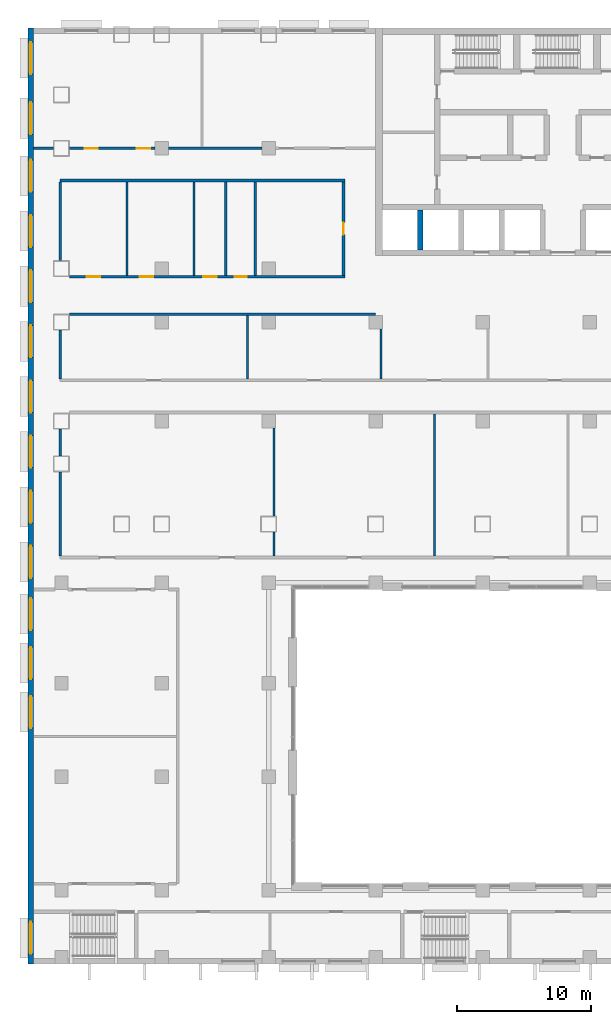
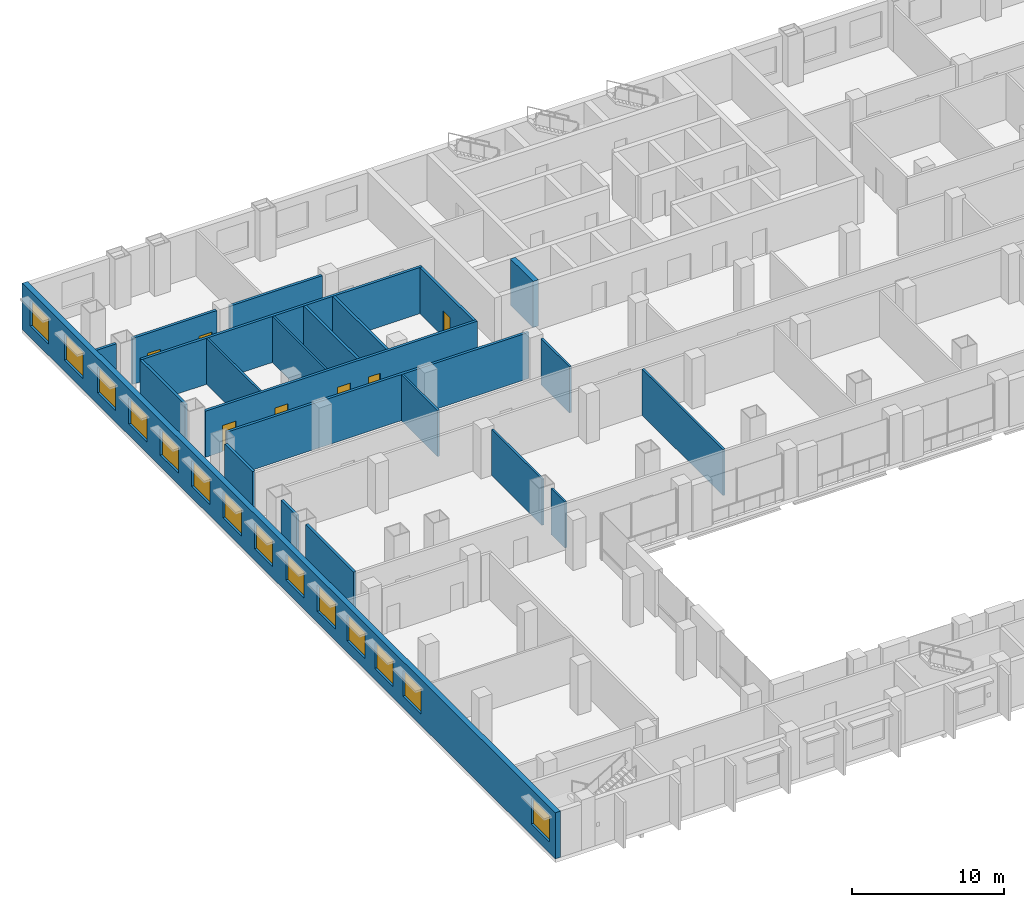
# One storey, part 11 of 25: 22 walls, 14 windows, 7 doors, 21 openings.
"""IFC4 building model written with IfcOpenShell, lengths in metres."""

from ifc_helpers import new_model, si_unit, direction, frame, frame_2d, origin, place, context, subcontext, project, spatial, rectangle, extrude, material, layer, layer_set, type_object, element, fill, save


model = new_model("IFC4")

# Units and contexts
model_context = context("Model", 3, precision=1e-05, world=origin(), true_north=direction((0.0, 1.0)))
body_context = subcontext(model_context, "Body", "Model", "MODEL_VIEW")
ifc_project = project(units=[si_unit("LENGTHUNIT", "METRE"), si_unit("AREAUNIT", "SQUARE_METRE"), si_unit("VOLUMEUNIT", "CUBIC_METRE"), si_unit("PLANEANGLEUNIT", "RADIAN"), si_unit("MASSUNIT", "GRAM", prefix="KILO")], contexts=[model_context])

# Site, building, storey
site_placement = place(None, origin())
site = spatial("IfcSite", under=ifc_project, at=site_placement, CompositionType="ELEMENT")
building_placement = place(site_placement, origin())
building = spatial("IfcBuilding", under=site, at=building_placement, Name="Vidyagriha Tower", CompositionType="ELEMENT")
storey_placement = place(building_placement, frame((0.0, 0.0, 10.0)))
storey = spatial("IfcBuildingStorey", under=building, at=storey_placement, Name="L02", CompositionType="ELEMENT", Elevation=10.0)

# Wall, openings, windows
ifc_material_1 = material(Name="Concrete C40/50 board-marked with brick facing", Category="concrete")
ifc_layer_1 = layer(ifc_material_1, 0.39990234375)
ifc_layer_set_1 = layer_set([ifc_layer_1], Name="Concrete C40/50 board-marked with brick facing")
wall_type_1 = type_object("IfcWallType", Name="Brick-faced board-marked concrete podium wall 400", PredefinedType="STANDARD", material=ifc_layer_set_1)
wall_1_placement = place(storey_placement, frame((-39.800048828125, 20.0, 0.0), z_axis=(0.0, 0.0, 1.0), x_axis=(0.0, -1.0, 0.0)))
wall_1 = element("IfcWall", 1, at=wall_1_placement, inside=storey, type_object=wall_type_1, Name="Podium wall L02 R05", PredefinedType="STANDARD", context=body_context, shape_type="SweptSolid", body=[
    extrude(rectangle(XDim=70.0, YDim=0.39990234375, at=frame_2d((35.0, 0.0))), origin(), (0.0, 0.0, 1.0), 3.699951171875),
])
opening_1_placement = place(wall_1_placement, frame((1.050048828125, 0.0, 0.89990234375)))
opening_1 = element("IfcOpeningElement", 2, at=opening_1_placement, cuts=wall_1, Name="Opening WN3", PredefinedType="OPENING", context=body_context, shape_type="SweptSolid", body=[
    extrude(rectangle(XDim=2.39990234375, YDim=2.10009765625, at=frame_2d((1.199951171875, 1.050048828125))), frame((0.0, 0.2099609375, 0.0), z_axis=(0.0, -1.0, 0.0), x_axis=(1.0, 0.0, 0.0)), (0.0, 0.0, 1.0), 0.419921875),
])
opening_2_placement = place(wall_1_placement, frame((5.550048828125, 0.0, 0.89990234375)))
opening_2 = element("IfcOpeningElement", 3, at=opening_2_placement, cuts=wall_1, Name="Opening WN3", PredefinedType="OPENING", context=body_context, shape_type="SweptSolid", body=[
    extrude(rectangle(XDim=2.39990234375, YDim=2.10009765625, at=frame_2d((1.199951171875, 1.050048828125))), frame((0.0, 0.2099609375, 0.0), z_axis=(0.0, -1.0, 0.0), x_axis=(1.0, 0.0, 0.0)), (0.0, 0.0, 1.0), 0.419921875),
])
opening_3_placement = place(wall_1_placement, frame((9.862548828125, 0.0, 0.89990234375)))
opening_3 = element("IfcOpeningElement", 4, at=opening_3_placement, cuts=wall_1, Name="Opening WN3", PredefinedType="OPENING", context=body_context, shape_type="SweptSolid", body=[
    extrude(rectangle(XDim=2.39990234375, YDim=2.10009765625, at=frame_2d((1.199951171875, 1.050048828125))), frame((0.0, 0.2099609375, 0.0), z_axis=(0.0, -1.0, 0.0), x_axis=(1.0, 0.0, 0.0)), (0.0, 0.0, 1.0), 0.419921875),
])
opening_4_placement = place(wall_1_placement, frame((13.987548828125, 0.0, 0.89990234375)))
opening_4 = element("IfcOpeningElement", 5, at=opening_4_placement, cuts=wall_1, Name="Opening WN3", PredefinedType="OPENING", context=body_context, shape_type="SweptSolid", body=[
    extrude(rectangle(XDim=2.39990234375, YDim=2.10009765625, at=frame_2d((1.199951171875, 1.050048828125))), frame((0.0, 0.2099609375, 0.0), z_axis=(0.0, -1.0, 0.0), x_axis=(1.0, 0.0, 0.0)), (0.0, 0.0, 1.0), 0.419921875),
])
opening_5_placement = place(wall_1_placement, frame((18.112548828125, 0.0, 0.89990234375)))
opening_5 = element("IfcOpeningElement", 6, at=opening_5_placement, cuts=wall_1, Name="Opening WN3", PredefinedType="OPENING", context=body_context, shape_type="SweptSolid", body=[
    extrude(rectangle(XDim=2.39990234375, YDim=2.10009765625, at=frame_2d((1.199951171875, 1.050048828125))), frame((0.0, 0.2099609375, 0.0), z_axis=(0.0, -1.0, 0.0), x_axis=(1.0, 0.0, 0.0)), (0.0, 0.0, 1.0), 0.419921875),
])
opening_6_placement = place(wall_1_placement, frame((22.237548828125, 0.0, 0.89990234375)))
opening_6 = element("IfcOpeningElement", 7, at=opening_6_placement, cuts=wall_1, Name="Opening WN3", PredefinedType="OPENING", context=body_context, shape_type="SweptSolid", body=[
    extrude(rectangle(XDim=2.39990234375, YDim=2.10009765625, at=frame_2d((1.199951171875, 1.050048828125))), frame((0.0, 0.2099609375, 0.0), z_axis=(0.0, -1.0, 0.0), x_axis=(1.0, 0.0, 0.0)), (0.0, 0.0, 1.0), 0.419921875),
])
opening_7_placement = place(wall_1_placement, frame((26.362548828125, 0.0, 0.89990234375)))
opening_7 = element("IfcOpeningElement", 8, at=opening_7_placement, cuts=wall_1, Name="Opening WN3", PredefinedType="OPENING", context=body_context, shape_type="SweptSolid", body=[
    extrude(rectangle(XDim=2.39990234375, YDim=2.10009765625, at=frame_2d((1.199951171875, 1.050048828125))), frame((0.0, 0.2099609375, 0.0), z_axis=(0.0, -1.0, 0.0), x_axis=(1.0, 0.0, 0.0)), (0.0, 0.0, 1.0), 0.419921875),
])
opening_8_placement = place(wall_1_placement, frame((30.487548828125, 0.0, 0.89990234375)))
opening_8 = element("IfcOpeningElement", 9, at=opening_8_placement, cuts=wall_1, Name="Opening WN3", PredefinedType="OPENING", context=body_context, shape_type="SweptSolid", body=[
    extrude(rectangle(XDim=2.39990234375, YDim=2.10009765625, at=frame_2d((1.199951171875, 1.050048828125))), frame((0.0, 0.2099609375, 0.0), z_axis=(0.0, -1.0, 0.0), x_axis=(1.0, 0.0, 0.0)), (0.0, 0.0, 1.0), 0.419921875),
])
opening_9_placement = place(wall_1_placement, frame((34.612548828125, 0.0, 0.89990234375)))
opening_9 = element("IfcOpeningElement", 10, at=opening_9_placement, cuts=wall_1, Name="Opening WN3", PredefinedType="OPENING", context=body_context, shape_type="SweptSolid", body=[
    extrude(rectangle(XDim=2.39990234375, YDim=2.10009765625, at=frame_2d((1.199951171875, 1.050048828125))), frame((0.0, 0.2099609375, 0.0), z_axis=(0.0, -1.0, 0.0), x_axis=(1.0, 0.0, 0.0)), (0.0, 0.0, 1.0), 0.419921875),
])
opening_10_placement = place(wall_1_placement, frame((38.737548828125, 0.0, 0.89990234375)))
opening_10 = element("IfcOpeningElement", 11, at=opening_10_placement, cuts=wall_1, Name="Opening WN3", PredefinedType="OPENING", context=body_context, shape_type="SweptSolid", body=[
    extrude(rectangle(XDim=2.39990234375, YDim=2.10009765625, at=frame_2d((1.199951171875, 1.050048828125))), frame((0.0, 0.2099609375, 0.0), z_axis=(0.0, -1.0, 0.0), x_axis=(1.0, 0.0, 0.0)), (0.0, 0.0, 1.0), 0.419921875),
])
opening_11_placement = place(wall_1_placement, frame((42.63330078125, 0.0, 0.89990234375)))
opening_11 = element("IfcOpeningElement", 12, at=opening_11_placement, cuts=wall_1, Name="Opening WN3", PredefinedType="OPENING", context=body_context, shape_type="SweptSolid", body=[
    extrude(rectangle(XDim=2.39990234375, YDim=2.10009765625, at=frame_2d((1.199951171875, 1.050048828125))), frame((0.0, 0.2099609375, 0.0), z_axis=(0.0, -1.0, 0.0), x_axis=(1.0, 0.0, 0.0)), (0.0, 0.0, 1.0), 0.419921875),
])
opening_12_placement = place(wall_1_placement, frame((46.300048828125, 0.0, 0.89990234375)))
opening_12 = element("IfcOpeningElement", 13, at=opening_12_placement, cuts=wall_1, Name="Opening WN3", PredefinedType="OPENING", context=body_context, shape_type="SweptSolid", body=[
    extrude(rectangle(XDim=2.39990234375, YDim=2.10009765625, at=frame_2d((1.199951171875, 1.050048828125))), frame((0.0, 0.2099609375, 0.0), z_axis=(0.0, -1.0, 0.0), x_axis=(1.0, 0.0, 0.0)), (0.0, 0.0, 1.0), 0.419921875),
])
opening_13_placement = place(wall_1_placement, frame((49.966796875, 0.0, 0.89990234375)))
opening_13 = element("IfcOpeningElement", 14, at=opening_13_placement, cuts=wall_1, Name="Opening WN3", PredefinedType="OPENING", context=body_context, shape_type="SweptSolid", body=[
    extrude(rectangle(XDim=2.39990234375, YDim=2.10009765625, at=frame_2d((1.199951171875, 1.050048828125))), frame((0.0, 0.2099609375, 0.0), z_axis=(0.0, -1.0, 0.0), x_axis=(1.0, 0.0, 0.0)), (0.0, 0.0, 1.0), 0.419921875),
])
opening_14_placement = place(wall_1_placement, frame((66.85009765625, 0.0, 0.89990234375)))
opening_14 = element("IfcOpeningElement", 15, at=opening_14_placement, cuts=wall_1, Name="Opening WN3", PredefinedType="OPENING", context=body_context, shape_type="SweptSolid", body=[
    extrude(rectangle(XDim=2.39990234375, YDim=2.10009765625, at=frame_2d((1.199951171875, 1.050048828125))), frame((0.0, 0.2099609375, 0.0), z_axis=(0.0, -1.0, 0.0), x_axis=(1.0, 0.0, 0.0)), (0.0, 0.0, 1.0), 0.419921875),
])
ifc_material_2 = material(Name="Aluminium and glass window", Category="aluminium")
window_type = type_object("IfcWindowType", Name="Podium school window 2400x2100", PartitioningType="NOTDEFINED", PredefinedType="WINDOW", material=ifc_material_2)
window_1_placement = place(opening_1_placement, origin())
window_1 = element("IfcWindow", 16, at=window_1_placement, inside=storey, type_object=window_type, Name="School window L02 R05.1", OverallHeight=2.10009765625, OverallWidth=2.39990234375, PartitioningType="SINGLE_PANEL", PredefinedType="WINDOW", context=body_context, shape_type="SweptSolid", body=[
    extrude(rectangle(XDim=2.39990234375, YDim=2.10009765625, at=frame_2d((1.199951171875, 1.050048828125))), frame((0.0, 0.030029296875, 0.0), z_axis=(0.0, -1.0, 0.0), x_axis=(1.0, 0.0, 0.0)), (0.0, 0.0, 1.0), 0.06005859375),
])
fill(opening_1, window_1)
window_2_placement = place(opening_2_placement, origin())
window_2 = element("IfcWindow", 17, at=window_2_placement, inside=storey, type_object=window_type, Name="School window L02 R05.2", OverallHeight=2.10009765625, OverallWidth=2.39990234375, PartitioningType="SINGLE_PANEL", PredefinedType="WINDOW", context=body_context, shape_type="SweptSolid", body=[
    extrude(rectangle(XDim=2.39990234375, YDim=2.10009765625, at=frame_2d((1.199951171875, 1.050048828125))), frame((0.0, 0.030029296875, 0.0), z_axis=(0.0, -1.0, 0.0), x_axis=(1.0, 0.0, 0.0)), (0.0, 0.0, 1.0), 0.06005859375),
])
fill(opening_2, window_2)
window_3_placement = place(opening_3_placement, origin())
window_3 = element("IfcWindow", 18, at=window_3_placement, inside=storey, type_object=window_type, Name="School window L02 R05.3", OverallHeight=2.10009765625, OverallWidth=2.39990234375, PartitioningType="SINGLE_PANEL", PredefinedType="WINDOW", context=body_context, shape_type="SweptSolid", body=[
    extrude(rectangle(XDim=2.39990234375, YDim=2.10009765625, at=frame_2d((1.199951171875, 1.050048828125))), frame((0.0, 0.030029296875, 0.0), z_axis=(0.0, -1.0, 0.0), x_axis=(1.0, 0.0, 0.0)), (0.0, 0.0, 1.0), 0.06005859375),
])
fill(opening_3, window_3)
window_4_placement = place(opening_4_placement, origin())
window_4 = element("IfcWindow", 19, at=window_4_placement, inside=storey, type_object=window_type, Name="School window L02 R05.4", OverallHeight=2.10009765625, OverallWidth=2.39990234375, PartitioningType="SINGLE_PANEL", PredefinedType="WINDOW", context=body_context, shape_type="SweptSolid", body=[
    extrude(rectangle(XDim=2.39990234375, YDim=2.10009765625, at=frame_2d((1.199951171875, 1.050048828125))), frame((0.0, 0.030029296875, 0.0), z_axis=(0.0, -1.0, 0.0), x_axis=(1.0, 0.0, 0.0)), (0.0, 0.0, 1.0), 0.06005859375),
])
fill(opening_4, window_4)
window_5_placement = place(opening_5_placement, origin())
window_5 = element("IfcWindow", 20, at=window_5_placement, inside=storey, type_object=window_type, Name="School window L02 R05.5", OverallHeight=2.10009765625, OverallWidth=2.39990234375, PartitioningType="SINGLE_PANEL", PredefinedType="WINDOW", context=body_context, shape_type="SweptSolid", body=[
    extrude(rectangle(XDim=2.39990234375, YDim=2.10009765625, at=frame_2d((1.199951171875, 1.050048828125))), frame((0.0, 0.030029296875, 0.0), z_axis=(0.0, -1.0, 0.0), x_axis=(1.0, 0.0, 0.0)), (0.0, 0.0, 1.0), 0.06005859375),
])
fill(opening_5, window_5)
window_6_placement = place(opening_6_placement, origin())
window_6 = element("IfcWindow", 21, at=window_6_placement, inside=storey, type_object=window_type, Name="School window L02 R05.6", OverallHeight=2.10009765625, OverallWidth=2.39990234375, PartitioningType="SINGLE_PANEL", PredefinedType="WINDOW", context=body_context, shape_type="SweptSolid", body=[
    extrude(rectangle(XDim=2.39990234375, YDim=2.10009765625, at=frame_2d((1.199951171875, 1.050048828125))), frame((0.0, 0.030029296875, 0.0), z_axis=(0.0, -1.0, 0.0), x_axis=(1.0, 0.0, 0.0)), (0.0, 0.0, 1.0), 0.06005859375),
])
fill(opening_6, window_6)
window_7_placement = place(opening_7_placement, origin())
window_7 = element("IfcWindow", 22, at=window_7_placement, inside=storey, type_object=window_type, Name="School window L02 R05.7", OverallHeight=2.10009765625, OverallWidth=2.39990234375, PartitioningType="SINGLE_PANEL", PredefinedType="WINDOW", context=body_context, shape_type="SweptSolid", body=[
    extrude(rectangle(XDim=2.39990234375, YDim=2.10009765625, at=frame_2d((1.199951171875, 1.050048828125))), frame((0.0, 0.030029296875, 0.0), z_axis=(0.0, -1.0, 0.0), x_axis=(1.0, 0.0, 0.0)), (0.0, 0.0, 1.0), 0.06005859375),
])
fill(opening_7, window_7)
window_8_placement = place(opening_8_placement, origin())
window_8 = element("IfcWindow", 23, at=window_8_placement, inside=storey, type_object=window_type, Name="School window L02 R05.8", OverallHeight=2.10009765625, OverallWidth=2.39990234375, PartitioningType="SINGLE_PANEL", PredefinedType="WINDOW", context=body_context, shape_type="SweptSolid", body=[
    extrude(rectangle(XDim=2.39990234375, YDim=2.10009765625, at=frame_2d((1.199951171875, 1.050048828125))), frame((0.0, 0.030029296875, 0.0), z_axis=(0.0, -1.0, 0.0), x_axis=(1.0, 0.0, 0.0)), (0.0, 0.0, 1.0), 0.06005859375),
])
fill(opening_8, window_8)
window_9_placement = place(opening_9_placement, origin())
window_9 = element("IfcWindow", 24, at=window_9_placement, inside=storey, type_object=window_type, Name="School window L02 R05.9", OverallHeight=2.10009765625, OverallWidth=2.39990234375, PartitioningType="SINGLE_PANEL", PredefinedType="WINDOW", context=body_context, shape_type="SweptSolid", body=[
    extrude(rectangle(XDim=2.39990234375, YDim=2.10009765625, at=frame_2d((1.199951171875, 1.050048828125))), frame((0.0, 0.030029296875, 0.0), z_axis=(0.0, -1.0, 0.0), x_axis=(1.0, 0.0, 0.0)), (0.0, 0.0, 1.0), 0.06005859375),
])
fill(opening_9, window_9)
window_10_placement = place(opening_10_placement, origin())
window_10 = element("IfcWindow", 25, at=window_10_placement, inside=storey, type_object=window_type, Name="School window L02 R05.10", OverallHeight=2.10009765625, OverallWidth=2.39990234375, PartitioningType="SINGLE_PANEL", PredefinedType="WINDOW", context=body_context, shape_type="SweptSolid", body=[
    extrude(rectangle(XDim=2.39990234375, YDim=2.10009765625, at=frame_2d((1.199951171875, 1.050048828125))), frame((0.0, 0.030029296875, 0.0), z_axis=(0.0, -1.0, 0.0), x_axis=(1.0, 0.0, 0.0)), (0.0, 0.0, 1.0), 0.06005859375),
])
fill(opening_10, window_10)
window_11_placement = place(opening_11_placement, origin())
window_11 = element("IfcWindow", 26, at=window_11_placement, inside=storey, type_object=window_type, Name="School window L02 R05.11", OverallHeight=2.10009765625, OverallWidth=2.39990234375, PartitioningType="SINGLE_PANEL", PredefinedType="WINDOW", context=body_context, shape_type="SweptSolid", body=[
    extrude(rectangle(XDim=2.39990234375, YDim=2.10009765625, at=frame_2d((1.199951171875, 1.050048828125))), frame((0.0, 0.030029296875, 0.0), z_axis=(0.0, -1.0, 0.0), x_axis=(1.0, 0.0, 0.0)), (0.0, 0.0, 1.0), 0.06005859375),
])
fill(opening_11, window_11)
window_12_placement = place(opening_12_placement, origin())
window_12 = element("IfcWindow", 27, at=window_12_placement, inside=storey, type_object=window_type, Name="School window L02 R05.12", OverallHeight=2.10009765625, OverallWidth=2.39990234375, PartitioningType="SINGLE_PANEL", PredefinedType="WINDOW", context=body_context, shape_type="SweptSolid", body=[
    extrude(rectangle(XDim=2.39990234375, YDim=2.10009765625, at=frame_2d((1.199951171875, 1.050048828125))), frame((0.0, 0.030029296875, 0.0), z_axis=(0.0, -1.0, 0.0), x_axis=(1.0, 0.0, 0.0)), (0.0, 0.0, 1.0), 0.06005859375),
])
fill(opening_12, window_12)
window_13_placement = place(opening_13_placement, origin())
window_13 = element("IfcWindow", 28, at=window_13_placement, inside=storey, type_object=window_type, Name="School window L02 R05.13", OverallHeight=2.10009765625, OverallWidth=2.39990234375, PartitioningType="SINGLE_PANEL", PredefinedType="WINDOW", context=body_context, shape_type="SweptSolid", body=[
    extrude(rectangle(XDim=2.39990234375, YDim=2.10009765625, at=frame_2d((1.199951171875, 1.050048828125))), frame((0.0, 0.030029296875, 0.0), z_axis=(0.0, -1.0, 0.0), x_axis=(1.0, 0.0, 0.0)), (0.0, 0.0, 1.0), 0.06005859375),
])
fill(opening_13, window_13)
window_14_placement = place(opening_14_placement, origin())
window_14 = element("IfcWindow", 29, at=window_14_placement, inside=storey, type_object=window_type, Name="School window L02 R05.19", OverallHeight=2.10009765625, OverallWidth=2.39990234375, PartitioningType="SINGLE_PANEL", PredefinedType="WINDOW", context=body_context, shape_type="SweptSolid", body=[
    extrude(rectangle(XDim=2.39990234375, YDim=2.10009765625, at=frame_2d((1.199951171875, 1.050048828125))), frame((0.0, 0.030029296875, 0.0), z_axis=(0.0, -1.0, 0.0), x_axis=(1.0, 0.0, 0.0)), (0.0, 0.0, 1.0), 0.06005859375),
])
fill(opening_14, window_14)

# Walls
ifc_material_3 = material(Name="Concrete C60/75", Category="concrete")
ifc_layer_2 = layer(ifc_material_3, 0.39990234375)
ifc_layer_set_2 = layer_set([ifc_layer_2], Name="Concrete C60/75")
wall_type_2 = type_object("IfcWallType", Name="Core shear wall 400 mm", PredefinedType="SHEAR", material=ifc_layer_set_2)
wall_2_placement = place(storey_placement, frame((-10.655517578125, 3.39990234375, 0.0), z_axis=(0.0, 0.0, 1.0), x_axis=(0.0, 1.0, 0.0)))
element("IfcWall", 30, at=wall_2_placement, inside=storey, type_object=wall_type_2, Name="Core bay wall S1", PredefinedType="SHEAR", context=body_context, shape_type="SweptSolid", body=[
    extrude(rectangle(XDim=3.0, YDim=0.39990234375, at=frame_2d((1.5, 0.0))), origin(), (0.0, 0.0, 1.0), 3.699951171875),
])
ifc_material_4 = material(Name="Fire rated gypsum board on light gauge framing")
ifc_layer_3 = layer(ifc_material_4, 0.199951171875)
ifc_layer_set_3 = layer_set([ifc_layer_3], Name="Fire rated gypsum board on light gauge framing")
wall_type_3 = type_object("IfcWallType", Name="Fire Rated Corridor Wall 200", PredefinedType="PARTITIONING", material=ifc_layer_set_3)
wall_3_placement = place(storey_placement, frame((-36.89990234375, -1.39990234375, 0.0)))
element("IfcWall", 31, at=wall_3_placement, inside=storey, type_object=wall_type_3, Name="L02 Fire Rated Corridor Wall 200 024", PredefinedType="PARTITIONING", context=body_context, shape_type="SweptSolid", body=[
    extrude(rectangle(XDim=22.89990234375, YDim=0.199951171875, at=frame_2d((11.449951171875, 0.0))), origin(), (0.0, 0.0, 1.0), 3.699951171875),
])

# Wall, openings, doors
wall_4_placement = place(storey_placement, frame((-36.89990234375, 1.39990234375, 0.0)))
wall_4 = element("IfcWall", 32, at=wall_4_placement, inside=storey, type_object=wall_type_3, Name="L02 Fire Rated Corridor Wall 200 026", PredefinedType="PARTITIONING", context=body_context, shape_type="SweptSolid", body=[
    extrude(rectangle(XDim=20.599853515625, YDim=0.199951171875, at=frame_2d((10.2998046875, 0.0))), origin(), (0.0, 0.0, 1.0), 3.699951171875),
])
opening_15_placement = place(wall_4_placement, frame((1.300048828125, 0.0, 0.0)))
opening_15 = element("IfcOpeningElement", 33, at=opening_15_placement, cuts=wall_4, Name="Opening D02-41", PredefinedType="OPENING", context=body_context, shape_type="SweptSolid", body=[
    extrude(rectangle(XDim=1.0, YDim=2.10009765625, at=frame_2d((0.5, 1.050048828125))), frame((0.0, 0.10986328125, 0.0), z_axis=(0.0, -1.0, 0.0), x_axis=(1.0, 0.0, 0.0)), (0.0, 0.0, 1.0), 0.219970703125),
])
opening_16_placement = place(wall_4_placement, frame((5.25, 0.0, 0.0)))
opening_16 = element("IfcOpeningElement", 34, at=opening_16_placement, cuts=wall_4, Name="Opening D02-42", PredefinedType="OPENING", context=body_context, shape_type="SweptSolid", body=[
    extrude(rectangle(XDim=1.0, YDim=2.10009765625, at=frame_2d((0.5, 1.050048828125))), frame((0.0, 0.10986328125, 0.0), z_axis=(0.0, -1.0, 0.0), x_axis=(1.0, 0.0, 0.0)), (0.0, 0.0, 1.0), 0.219970703125),
])
opening_17_placement = place(wall_4_placement, frame((10.0, 0.0, 0.0)))
opening_17 = element("IfcOpeningElement", 35, at=opening_17_placement, cuts=wall_4, Name="Opening D02-43", PredefinedType="OPENING", context=body_context, shape_type="SweptSolid", body=[
    extrude(rectangle(XDim=1.0, YDim=2.10009765625, at=frame_2d((0.5, 1.050048828125))), frame((0.0, 0.10986328125, 0.0), z_axis=(0.0, -1.0, 0.0), x_axis=(1.0, 0.0, 0.0)), (0.0, 0.0, 1.0), 0.219970703125),
])
opening_18_placement = place(wall_4_placement, frame((12.35009765625, 0.0, 0.0)))
opening_18 = element("IfcOpeningElement", 36, at=opening_18_placement, cuts=wall_4, Name="Opening D02-44", PredefinedType="OPENING", context=body_context, shape_type="SweptSolid", body=[
    extrude(rectangle(XDim=0.89990234375, YDim=2.10009765625, at=frame_2d((0.449951171875, 1.050048828125))), frame((0.0, 0.10986328125, 0.0), z_axis=(0.0, -1.0, 0.0), x_axis=(1.0, 0.0, 0.0)), (0.0, 0.0, 1.0), 0.219970703125),
])
ifc_material_5 = material(Name="Steel fire door set", Category="steel")
door_type_1 = type_object("IfcDoorType", Name="Podium Door 1000x2100 EI 30", OperationType="NOTDEFINED", PredefinedType="DOOR", material=ifc_material_5)
door_1_placement = place(opening_15_placement, origin())
door_1 = element("IfcDoor", 37, at=door_1_placement, inside=storey, type_object=door_type_1, Name="L02 door D02-41", OperationType="SINGLE_SWING_LEFT", OverallHeight=2.10009765625, OverallWidth=1.0, PredefinedType="DOOR", context=body_context, shape_type="SweptSolid", body=[
    extrude(rectangle(XDim=1.0, YDim=2.10009765625, at=frame_2d((0.5, 1.050048828125))), frame((0.0, 0.02490234375, 0.0), z_axis=(0.0, -1.0, 0.0), x_axis=(1.0, 0.0, 0.0)), (0.0, 0.0, 1.0), 0.050048828125),
])
fill(opening_15, door_1)
door_2_placement = place(opening_16_placement, origin())
door_2 = element("IfcDoor", 38, at=door_2_placement, inside=storey, type_object=door_type_1, Name="L02 door D02-42", OperationType="SINGLE_SWING_LEFT", OverallHeight=2.10009765625, OverallWidth=1.0, PredefinedType="DOOR", context=body_context, shape_type="SweptSolid", body=[
    extrude(rectangle(XDim=1.0, YDim=2.10009765625, at=frame_2d((0.5, 1.050048828125))), frame((0.0, 0.02490234375, 0.0), z_axis=(0.0, -1.0, 0.0), x_axis=(1.0, 0.0, 0.0)), (0.0, 0.0, 1.0), 0.050048828125),
])
fill(opening_16, door_2)
door_3_placement = place(opening_17_placement, origin())
door_3 = element("IfcDoor", 39, at=door_3_placement, inside=storey, type_object=door_type_1, Name="L02 door D02-43", OperationType="SINGLE_SWING_RIGHT", OverallHeight=2.10009765625, OverallWidth=1.0, PredefinedType="DOOR", context=body_context, shape_type="SweptSolid", body=[
    extrude(rectangle(XDim=1.0, YDim=2.10009765625, at=frame_2d((0.5, 1.050048828125))), frame((0.0, 0.02490234375, 0.0), z_axis=(0.0, -1.0, 0.0), x_axis=(1.0, 0.0, 0.0)), (0.0, 0.0, 1.0), 0.050048828125),
])
fill(opening_17, door_3)
ifc_material_6 = material(Name="Steel fire door set", Category="steel")
door_type_2 = type_object("IfcDoorType", Name="Podium Door 900x2100 EI 30", OperationType="NOTDEFINED", PredefinedType="DOOR", material=ifc_material_6)
door_4_placement = place(opening_18_placement, origin())
door_4 = element("IfcDoor", 40, at=door_4_placement, inside=storey, type_object=door_type_2, Name="L02 door D02-44", OperationType="SINGLE_SWING_RIGHT", OverallHeight=2.10009765625, OverallWidth=0.89990234375, PredefinedType="DOOR", context=body_context, shape_type="SweptSolid", body=[
    extrude(rectangle(XDim=0.89990234375, YDim=2.10009765625, at=frame_2d((0.449951171875, 1.050048828125))), frame((0.0, 0.02490234375, 0.0), z_axis=(0.0, -1.0, 0.0), x_axis=(1.0, 0.0, 0.0)), (0.0, 0.0, 1.0), 0.050048828125),
])
fill(opening_18, door_4)

# Walls
wall_5_placement = place(storey_placement, frame((-37.599853515625, 8.60009765625, 0.0)))
element("IfcWall", 41, at=wall_5_placement, inside=storey, type_object=wall_type_3, Name="L02 Fire Rated Corridor Wall 200 028", PredefinedType="PARTITIONING", context=body_context, shape_type="SweptSolid", body=[
    extrude(rectangle(XDim=21.2998046875, YDim=0.199951171875, at=frame_2d((10.64990234375, 0.0))), origin(), (0.0, 0.0, 1.0), 3.699951171875),
])
wall_6_placement = place(storey_placement, frame((-39.60009765625, 11.0, 0.0)))
element("IfcWall", 42, at=wall_6_placement, inside=storey, type_object=wall_type_3, Name="L02 Fire Rated Corridor Wall 200 030", PredefinedType="PARTITIONING", context=body_context, shape_type="SweptSolid", body=[
    extrude(rectangle(XDim=1.5, YDim=0.199951171875, at=frame_2d((0.75, 0.0))), origin(), (0.0, 0.0, 1.0), 3.699951171875),
])

# Wall, openings, doors
wall_7_placement = place(storey_placement, frame((-36.89990234375, 11.0, 0.0)))
wall_7 = element("IfcWall", 43, at=wall_7_placement, inside=storey, type_object=wall_type_3, Name="L02 Fire Rated Corridor Wall 200 031", PredefinedType="PARTITIONING", context=body_context, shape_type="SweptSolid", body=[
    extrude(rectangle(XDim=6.39990234375, YDim=0.199951171875, at=frame_2d((3.199951171875, 0.0))), origin(), (0.0, 0.0, 1.0), 3.699951171875),
])
opening_19_placement = place(wall_7_placement, frame((1.132080078125, 0.0, 0.0)))
opening_19 = element("IfcOpeningElement", 44, at=opening_19_placement, cuts=wall_7, Name="Opening D02-51", PredefinedType="OPENING", context=body_context, shape_type="SweptSolid", body=[
    extrude(rectangle(XDim=1.0, YDim=2.10009765625, at=frame_2d((0.5, 1.050048828125))), frame((0.0, 0.10986328125, 0.0), z_axis=(0.0, -1.0, 0.0), x_axis=(1.0, 0.0, 0.0)), (0.0, 0.0, 1.0), 0.219970703125),
])
opening_20_placement = place(wall_7_placement, frame((5.050048828125, 0.0, 0.0)))
opening_20 = element("IfcOpeningElement", 45, at=opening_20_placement, cuts=wall_7, Name="Opening D02-52", PredefinedType="OPENING", context=body_context, shape_type="SweptSolid", body=[
    extrude(rectangle(XDim=1.0, YDim=2.10009765625, at=frame_2d((0.5, 1.050048828125))), frame((0.0, 0.10986328125, 0.0), z_axis=(0.0, -1.0, 0.0), x_axis=(1.0, 0.0, 0.0)), (0.0, 0.0, 1.0), 0.219970703125),
])
door_5_placement = place(opening_19_placement, origin())
door_5 = element("IfcDoor", 46, at=door_5_placement, inside=storey, type_object=door_type_1, Name="L02 door D02-51", OperationType="SINGLE_SWING_LEFT", OverallHeight=2.10009765625, OverallWidth=1.0, PredefinedType="DOOR", context=body_context, shape_type="SweptSolid", body=[
    extrude(rectangle(XDim=1.0, YDim=2.10009765625, at=frame_2d((0.5, 1.050048828125))), frame((0.0, 0.02490234375, 0.0), z_axis=(0.0, -1.0, 0.0), x_axis=(1.0, 0.0, 0.0)), (0.0, 0.0, 1.0), 0.050048828125),
])
fill(opening_19, door_5)
door_6_placement = place(opening_20_placement, origin())
door_6 = element("IfcDoor", 47, at=door_6_placement, inside=storey, type_object=door_type_1, Name="L02 door D02-52", OperationType="SINGLE_SWING_RIGHT", OverallHeight=2.10009765625, OverallWidth=1.0, PredefinedType="DOOR", context=body_context, shape_type="SweptSolid", body=[
    extrude(rectangle(XDim=1.0, YDim=2.10009765625, at=frame_2d((0.5, 1.050048828125))), frame((0.0, 0.02490234375, 0.0), z_axis=(0.0, -1.0, 0.0), x_axis=(1.0, 0.0, 0.0)), (0.0, 0.0, 1.0), 0.050048828125),
])
fill(opening_20, door_6)

# Walls
wall_8_placement = place(storey_placement, frame((-29.5, 11.0, 0.0)))
element("IfcWall", 48, at=wall_8_placement, inside=storey, type_object=wall_type_3, Name="L02 Fire Rated Corridor Wall 200 032", PredefinedType="PARTITIONING", context=body_context, shape_type="SweptSolid", body=[
    extrude(rectangle(XDim=7.0, YDim=0.199951171875, at=frame_2d((3.5, 0.0))), origin(), (0.0, 0.0, 1.0), 3.699951171875),
])
wall_9_placement = place(storey_placement, frame((-37.60009765625, -19.5, 0.0), z_axis=(0.0, 0.0, 1.0), x_axis=(0.0, 1.0, 0.0)))
element("IfcWall", 49, at=wall_9_placement, inside=storey, type_object=wall_type_3, Name="L02 Fire Rated Corridor Wall 200 039", PredefinedType="PARTITIONING", context=body_context, shape_type="SweptSolid", body=[
    extrude(rectangle(XDim=6.300048828125, YDim=0.199951171875, at=frame_2d((3.14990234375, 0.0))), origin(), (0.0, 0.0, 1.0), 3.699951171875),
])
wall_10_placement = place(storey_placement, frame((-37.60009765625, -12.0, 0.0), z_axis=(0.0, 0.0, 1.0), x_axis=(0.0, 1.0, 0.0)))
element("IfcWall", 50, at=wall_10_placement, inside=storey, type_object=wall_type_3, Name="L02 Fire Rated Corridor Wall 200 040", PredefinedType="PARTITIONING", context=body_context, shape_type="SweptSolid", body=[
    extrude(rectangle(XDim=2.0, YDim=0.199951171875, at=frame_2d((1.0, 0.0))), origin(), (0.0, 0.0, 1.0), 3.699951171875),
])
wall_11_placement = place(storey_placement, frame((-37.60009765625, -6.25, 0.0), z_axis=(0.0, 0.0, 1.0), x_axis=(0.0, 1.0, 0.0)))
element("IfcWall", 51, at=wall_11_placement, inside=storey, type_object=wall_type_3, Name="L02 Fire Rated Corridor Wall 200 041", PredefinedType="PARTITIONING", context=body_context, shape_type="SweptSolid", body=[
    extrude(rectangle(XDim=3.64990234375, YDim=0.199951171875, at=frame_2d((1.824951171875, 0.0))), origin(), (0.0, 0.0, 1.0), 3.699951171875),
])
wall_12_placement = place(storey_placement, frame((-37.60009765625, 2.60009765625, 0.0), z_axis=(0.0, 0.0, 1.0), x_axis=(0.0, 1.0, 0.0)))
element("IfcWall", 52, at=wall_12_placement, inside=storey, type_object=wall_type_3, Name="L02 Fire Rated Corridor Wall 200 042", PredefinedType="PARTITIONING", context=body_context, shape_type="SweptSolid", body=[
    extrude(rectangle(XDim=5.89990234375, YDim=0.199951171875, at=frame_2d((2.949951171875, 0.0))), origin(), (0.0, 0.0, 1.0), 3.699951171875),
])
for number, where, z_axis, x_axis, name in (
    (53, (-25.199951171875, 1.5, 0.0), (0.0, 0.0, 1.0), (0.0, 1.0, 0.0), "L02 Fire Rated Corridor Wall 200 048"),
    (54, (-23.0, 1.5, 0.0), (0.0, 0.0, 1.0), (0.0, 1.0, 0.0), "L02 Fire Rated Corridor Wall 200 050"),
):
    element("IfcWall", number, at=place(storey_placement, frame(where, z_axis=z_axis, x_axis=x_axis)), inside=storey, type_object=wall_type_3, Name=name, PredefinedType="PARTITIONING", context=body_context, shape_type="SweptSolid", body=[
        extrude(rectangle(XDim=7.0, YDim=0.199951171875, at=frame_2d((3.5, 0.0))), origin(), (0.0, 0.0, 1.0), 3.699951171875),
    ])

# Wall, opening, door
wall_13_placement = place(storey_placement, frame((-16.39990234375, 1.5, 0.0), z_axis=(0.0, 0.0, 1.0), x_axis=(0.0, 1.0, 0.0)))
wall_13 = element("IfcWall", 55, at=wall_13_placement, inside=storey, type_object=wall_type_3, Name="L02 Fire Rated Corridor Wall 200 054", PredefinedType="PARTITIONING", context=body_context, shape_type="SweptSolid", body=[
    extrude(rectangle(XDim=7.0, YDim=0.199951171875, at=frame_2d((3.5, 0.0))), origin(), (0.0, 0.0, 1.0), 3.699951171875),
])
opening_21_placement = place(wall_13_placement, frame((3.0498046875, 0.0, 0.0)))
opening_21 = element("IfcOpeningElement", 56, at=opening_21_placement, cuts=wall_13, Name="Opening D02-45", PredefinedType="OPENING", context=body_context, shape_type="SweptSolid", body=[
    extrude(rectangle(XDim=0.89990234375, YDim=2.10009765625, at=frame_2d((0.449951171875, 1.050048828125))), frame((0.0, 0.10986328125, 0.0), z_axis=(0.0, -1.0, 0.0), x_axis=(1.0, 0.0, 0.0)), (0.0, 0.0, 1.0), 0.219970703125),
])
door_7_placement = place(opening_21_placement, origin())
door_7 = element("IfcDoor", 57, at=door_7_placement, inside=storey, type_object=door_type_2, Name="L02 door D02-45", OperationType="SINGLE_SWING_LEFT", OverallHeight=2.10009765625, OverallWidth=0.89990234375, PredefinedType="DOOR", context=body_context, shape_type="SweptSolid", body=[
    extrude(rectangle(XDim=0.89990234375, YDim=2.10009765625, at=frame_2d((0.449951171875, 1.050048828125))), frame((0.0, 0.02490234375, 0.0), z_axis=(0.0, -1.0, 0.0), x_axis=(1.0, 0.0, 0.0)), (0.0, 0.0, 1.0), 0.050048828125),
])
fill(opening_21, door_7)

# Walls
ifc_material_7 = material(Name="Gypsum board on light gauge framing")
ifc_layer_4 = layer(ifc_material_7, 0.14990234375)
ifc_layer_set_4 = layer_set([ifc_layer_4], Name="Gypsum board on light gauge framing")
wall_type_4 = type_object("IfcWallType", Name="Gypsum Board Partition 150", PredefinedType="PARTITIONING", material=ifc_layer_set_4)
for number, where, z_axis, x_axis, name in (
    (58, (-32.60009765625, 1.5, 0.0), (0.0, 0.0, 1.0), (0.0, 1.0, 0.0), "L02 Gypsum Board Partition 150 043"),
    (59, (-27.60009765625, 1.5, 0.0), (0.0, 0.0, 1.0), (0.0, 1.0, 0.0), "L02 Gypsum Board Partition 150 046"),
):
    element("IfcWall", number, at=place(storey_placement, frame(where, z_axis=z_axis, x_axis=x_axis)), inside=storey, type_object=wall_type_4, Name=name, PredefinedType="PARTITIONING", context=body_context, shape_type="SweptSolid", body=[
        extrude(rectangle(XDim=7.0, YDim=0.14990234375, at=frame_2d((3.5, 0.0))), origin(), (0.0, 0.0, 1.0), 3.699951171875),
    ])
wall_14_placement = place(storey_placement, frame((-23.60009765625, -6.25, 0.0), z_axis=(0.0, 0.0, 1.0), x_axis=(0.0, 1.0, 0.0)))
element("IfcWall", 60, at=wall_14_placement, inside=storey, type_object=wall_type_4, Name="L02 Gypsum Board Partition 150 049", PredefinedType="PARTITIONING", context=body_context, shape_type="SweptSolid", body=[
    extrude(rectangle(XDim=4.75, YDim=0.14990234375, at=frame_2d((2.375, 0.0))), origin(), (0.0, 0.0, 1.0), 3.699951171875),
])
wall_15_placement = place(storey_placement, frame((-21.60009765625, -19.5, 0.0), z_axis=(0.0, 0.0, 1.0), x_axis=(0.0, 1.0, 0.0)))
element("IfcWall", 61, at=wall_15_placement, inside=storey, type_object=wall_type_4, Name="L02 Gypsum Board Partition 150 052", PredefinedType="PARTITIONING", context=body_context, shape_type="SweptSolid", body=[
    extrude(rectangle(XDim=1.800048828125, YDim=0.14990234375, at=frame_2d((0.89990234375, 0.0))), origin(), (0.0, 0.0, 1.0), 3.699951171875),
])
wall_16_placement = place(storey_placement, frame((-21.60009765625, -16.5, 0.0), z_axis=(0.0, 0.0, 1.0), x_axis=(0.0, 1.0, 0.0)))
element("IfcWall", 62, at=wall_16_placement, inside=storey, type_object=wall_type_4, Name="L02 Gypsum Board Partition 150 053", PredefinedType="PARTITIONING", context=body_context, shape_type="SweptSolid", body=[
    extrude(rectangle(XDim=6.60009765625, YDim=0.14990234375, at=frame_2d((3.300048828125, 0.0))), origin(), (0.0, 0.0, 1.0), 3.699951171875),
])
wall_17_placement = place(storey_placement, frame((-13.60009765625, -6.25, 0.0), z_axis=(0.0, 0.0, 1.0), x_axis=(0.0, 1.0, 0.0)))
element("IfcWall", 63, at=wall_17_placement, inside=storey, type_object=wall_type_4, Name="L02 Gypsum Board Partition 150 055", PredefinedType="PARTITIONING", context=body_context, shape_type="SweptSolid", body=[
    extrude(rectangle(XDim=3.75, YDim=0.14990234375, at=frame_2d((1.875, 0.0))), origin(), (0.0, 0.0, 1.0), 3.699951171875),
])
wall_18_placement = place(storey_placement, frame((-9.60009765625, -19.5, 0.0), z_axis=(0.0, 0.0, 1.0), x_axis=(0.0, 1.0, 0.0)))
element("IfcWall", 64, at=wall_18_placement, inside=storey, type_object=wall_type_4, Name="L02 Gypsum Board Partition 150 057", PredefinedType="PARTITIONING", context=body_context, shape_type="SweptSolid", body=[
    extrude(rectangle(XDim=10.64990234375, YDim=0.14990234375, at=frame_2d((5.324951171875, 0.0))), origin(), (0.0, 0.0, 1.0), 3.699951171875),
])

save(model, "model.ifc")
